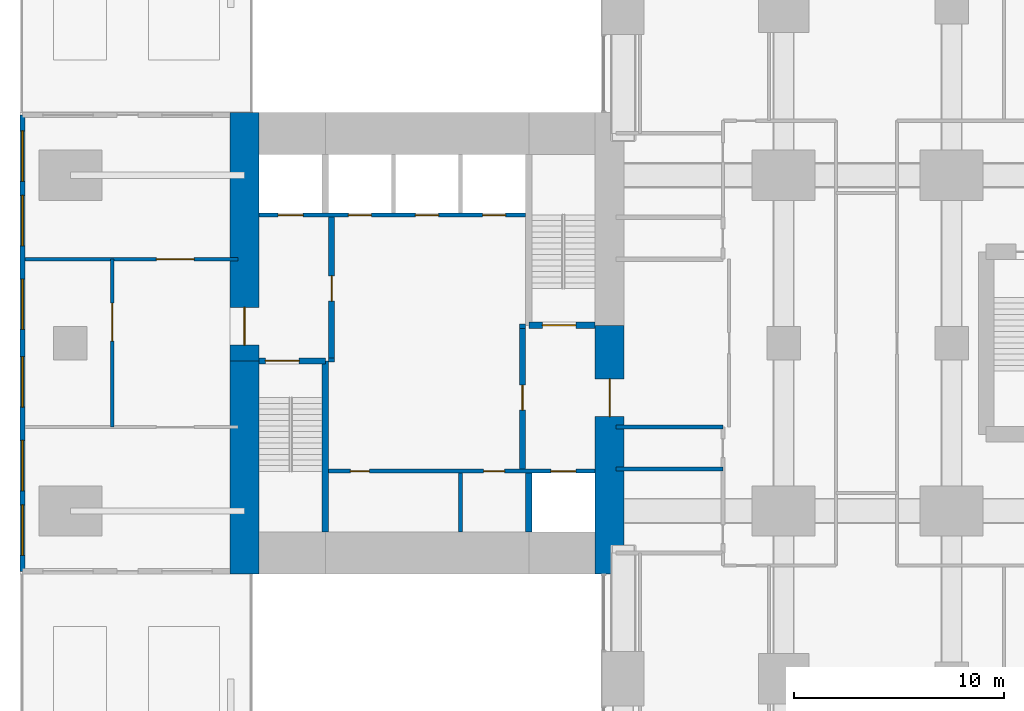
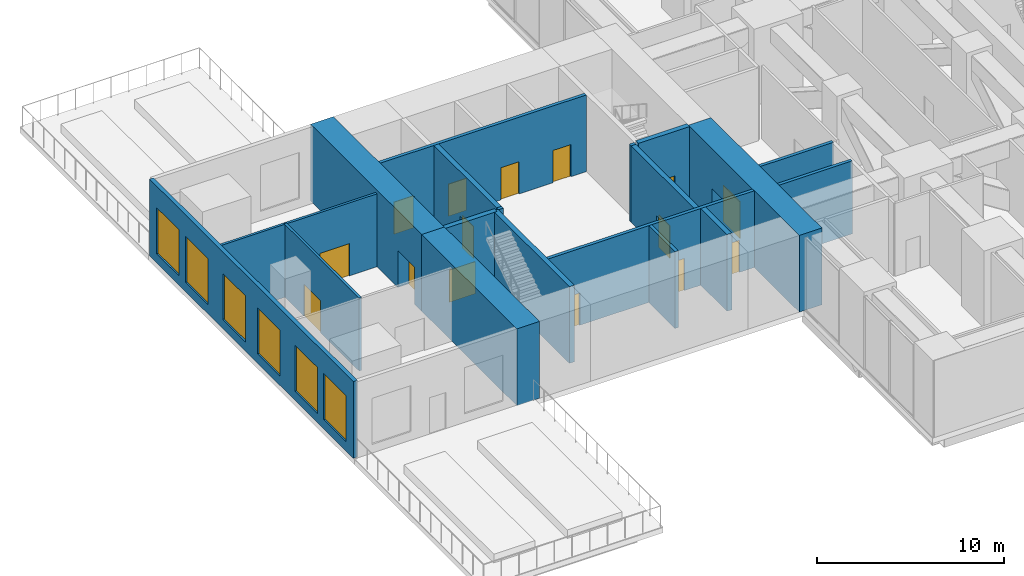
# One storey, part 7 of 10: 19 walls, 15 doors, 6 windows, 21 openings.
"""IFC4 building model written with IfcOpenShell, lengths in metres."""

from ifc_helpers import new_model, si_unit, direction, frame, frame_2d, origin, place, context, subcontext, project, spatial, rectangle, extrude, material, layer, layer_set, type_object, element, fill, save


model = new_model("IFC4")

# Units and contexts
model_context = context("Model", 3, precision=1e-05, world=origin(), true_north=direction((0.0, 1.0)))
body_context = subcontext(model_context, "Body", "Model", "MODEL_VIEW")
ifc_project = project(units=[si_unit("LENGTHUNIT", "METRE"), si_unit("AREAUNIT", "SQUARE_METRE"), si_unit("VOLUMEUNIT", "CUBIC_METRE"), si_unit("PLANEANGLEUNIT", "RADIAN"), si_unit("MASSUNIT", "GRAM", prefix="KILO")], contexts=[model_context])

# Site, building, storey
site_placement = place(None, origin())
site = spatial("IfcSite", under=ifc_project, at=site_placement, CompositionType="ELEMENT")
building_placement = place(site_placement, origin())
building = spatial("IfcBuilding", under=site, at=building_placement, Name="Cleftline Residences", CompositionType="ELEMENT")
storey_placement = place(building_placement, frame((0.0, 0.0, 225.39990234375)))
storey = spatial("IfcBuildingStorey", under=building, at=storey_placement, Name="L59", CompositionType="ELEMENT", Elevation=225.39990234375)

# Wall
ifc_material_1 = material(Name="Concrete B70", Category="concrete")
ifc_layer_1 = layer(ifc_material_1, 1.39990234375)
ifc_layer_set_1 = layer_set([ifc_layer_1], Name="CORE WALL 1400")
wall_type_1 = type_object("IfcWallType", Name="CORE WALL 1400", PredefinedType="SHEAR", material=ifc_layer_set_1)
wall_1_placement = place(storey_placement, frame((24.300048828125, 13.0, 0.0), z_axis=(0.0, 0.0, 1.0), x_axis=(0.0, 1.0, 0.0)))
element("IfcWall", 1, at=wall_1_placement, inside=storey, type_object=wall_type_1, Name="Core wall W0", PredefinedType="SHEAR", context=body_context, shape_type="SweptSolid", body=[
    extrude(rectangle(XDim=10.14990234375, YDim=1.39990234375, at=frame_2d((5.074951171875, 0.0))), origin(), (0.0, 0.0, 1.0), 5.0),
])

# Wall, opening, door
wall_2_placement = place(storey_placement, frame((24.300048828125, 23.14990234375, 0.0), z_axis=(0.0, 0.0, 1.0), x_axis=(0.0, 1.0, 0.0)))
wall_2 = element("IfcWall", 2, at=wall_2_placement, inside=storey, type_object=wall_type_1, Name="Core wall W", PredefinedType="SHEAR", context=body_context, shape_type="SweptSolid", body=[
    extrude(rectangle(XDim=11.85009765625, YDim=1.39990234375, at=frame_2d((5.925048828125, 0.0))), origin(), (0.0, 0.0, 1.0), 5.0),
])
opening_1_placement = place(wall_2_placement, frame((0.75, 0.0, 0.0)))
opening_1 = element("IfcOpeningElement", 3, at=opening_1_placement, cuts=wall_2, Name="Opening D7", PredefinedType="OPENING", context=body_context, shape_type="SweptSolid", body=[
    extrude(rectangle(XDim=1.800048828125, YDim=2.39990234375, at=frame_2d((0.89990234375, 1.199951171875))), frame((0.0, 0.7099609375, 0.0), z_axis=(0.0, -1.0, 0.0), x_axis=(1.0, 0.0, 0.0)), (0.0, 0.0, 1.0), 1.419921875),
])
ifc_material_2 = material(Name="Steel", Category="steel")
door_type_1 = type_object("IfcDoorType", Name="WING DOOR 1800X2400", OperationType="DOUBLE_DOOR_DOUBLE_SWING", PredefinedType="DOOR", material=ifc_material_2)
door_1_placement = place(opening_1_placement, origin())
door_1 = element("IfcDoor", 4, at=door_1_placement, inside=storey, type_object=door_type_1, Name="West wing door", OperationType="DOUBLE_DOOR_DOUBLE_SWING", OverallHeight=2.39990234375, OverallWidth=1.800048828125, PredefinedType="DOOR", context=body_context, shape_type="SweptSolid", body=[
    extrude(rectangle(XDim=1.800048828125, YDim=2.39990234375, at=frame_2d((0.89990234375, 1.199951171875))), frame((0.0, 0.02490234375, 0.0), z_axis=(0.0, -1.0, 0.0), x_axis=(1.0, 0.0, 0.0)), (0.0, 0.0, 1.0), 0.050048828125),
])
fill(opening_1, door_1)

wall_3_placement = place(storey_placement, frame((41.699951171875, 13.0, 0.0), z_axis=(0.0, 0.0, 1.0), x_axis=(0.0, 1.0, 0.0)))
wall_3 = element("IfcWall", 5, at=wall_3_placement, inside=storey, type_object=wall_type_1, Name="Core wall E", PredefinedType="SHEAR", context=body_context, shape_type="SweptSolid", body=[
    extrude(rectangle(XDim=11.85009765625, YDim=1.39990234375, at=frame_2d((5.925048828125, 0.0))), origin(), (0.0, 0.0, 1.0), 5.0),
])
opening_2_placement = place(wall_3_placement, frame((7.5, 0.0, 0.0)))
opening_2 = element("IfcOpeningElement", 6, at=opening_2_placement, cuts=wall_3, Name="Opening D7", PredefinedType="OPENING", context=body_context, shape_type="SweptSolid", body=[
    extrude(rectangle(XDim=1.800048828125, YDim=2.39990234375, at=frame_2d((0.89990234375, 1.199951171875))), frame((0.0, 0.7099609375, 0.0), z_axis=(0.0, -1.0, 0.0), x_axis=(1.0, 0.0, 0.0)), (0.0, 0.0, 1.0), 1.419921875),
])
door_2_placement = place(opening_2_placement, origin())
door_2 = element("IfcDoor", 7, at=door_2_placement, inside=storey, type_object=door_type_1, Name="East wing door", OperationType="DOUBLE_DOOR_DOUBLE_SWING", OverallHeight=2.39990234375, OverallWidth=1.800048828125, PredefinedType="DOOR", context=body_context, shape_type="SweptSolid", body=[
    extrude(rectangle(XDim=1.800048828125, YDim=2.39990234375, at=frame_2d((0.89990234375, 1.199951171875))), frame((0.0, 0.02490234375, 0.0), z_axis=(0.0, -1.0, 0.0), x_axis=(1.0, 0.0, 0.0)), (0.0, 0.0, 1.0), 0.050048828125),
])
fill(opening_2, door_2)

# Wall
ifc_material_3 = material(Name="Concrete B70", Category="concrete")
ifc_layer_2 = layer(ifc_material_3, 0.300048828125)
ifc_layer_set_2 = layer_set([ifc_layer_2], Name="CORE WALL 300")
wall_type_2 = type_object("IfcWallType", Name="CORE WALL 300", PredefinedType="SHEAR", material=ifc_layer_set_2)
wall_4_placement = place(storey_placement, frame((28.14990234375, 15.0, 0.0), z_axis=(0.0, 0.0, 1.0), x_axis=(0.0, 1.0, 0.0)))
element("IfcWall", 8, at=wall_4_placement, inside=storey, type_object=wall_type_2, Name="Core wall SA-E", PredefinedType="SHEAR", context=body_context, shape_type="SweptSolid", body=[
    extrude(rectangle(XDim=8.14990234375, YDim=0.300048828125, at=frame_2d((4.074951171875, 0.0))), origin(), (0.0, 0.0, 1.0), 5.0),
])

# Wall, opening, door
wall_5_placement = place(storey_placement, frame((25.0, 23.14990234375, 0.0), z_axis=(0.0, 0.0, 1.0), x_axis=(1.0, 0.0, 0.0)))
wall_5 = element("IfcWall", 9, at=wall_5_placement, inside=storey, type_object=wall_type_2, Name="Core wall SA-N", PredefinedType="SHEAR", context=body_context, shape_type="SweptSolid", body=[
    extrude(rectangle(XDim=3.14990234375, YDim=0.300048828125, at=frame_2d((1.574951171875, 0.0))), origin(), (0.0, 0.0, 1.0), 5.0),
])
opening_3_placement = place(wall_5_placement, frame((0.300048828125, 0.0, 0.0)))
opening_3 = element("IfcOpeningElement", 10, at=opening_3_placement, cuts=wall_5, Name="Opening D9", PredefinedType="OPENING", context=body_context, shape_type="SweptSolid", body=[
    extrude(rectangle(XDim=1.60009765625, YDim=2.10009765625, at=frame_2d((0.800048828125, 1.050048828125))), frame((0.0, 0.159912109375, 0.0), z_axis=(0.0, -1.0, 0.0), x_axis=(1.0, 0.0, 0.0)), (0.0, 0.0, 1.0), 0.320068359375),
])
ifc_material_4 = material(Name="Steel", Category="steel")
door_type_2 = type_object("IfcDoorType", Name="STAIR DOOR 1600X2100", OperationType="DOUBLE_DOOR_SINGLE_SWING", PredefinedType="DOOR", material=ifc_material_4)
door_3_placement = place(opening_3_placement, origin())
door_3 = element("IfcDoor", 11, at=door_3_placement, inside=storey, type_object=door_type_2, Name="Stair A door", OperationType="DOUBLE_DOOR_SINGLE_SWING", OverallHeight=2.10009765625, OverallWidth=1.60009765625, PredefinedType="DOOR", context=body_context, shape_type="SweptSolid", body=[
    extrude(rectangle(XDim=1.60009765625, YDim=2.10009765625, at=frame_2d((0.800048828125, 1.050048828125))), frame((0.0, 0.02490234375, 0.0), z_axis=(0.0, -1.0, 0.0), x_axis=(1.0, 0.0, 0.0)), (0.0, 0.0, 1.0), 0.050048828125),
])
fill(opening_3, door_3)

wall_6_placement = place(storey_placement, frame((37.85009765625, 24.85009765625, 0.0), z_axis=(0.0, 0.0, 1.0), x_axis=(1.0, 0.0, 0.0)))
wall_6 = element("IfcWall", 12, at=wall_6_placement, inside=storey, type_object=wall_type_2, Name="Core wall SB-S", PredefinedType="SHEAR", context=body_context, shape_type="SweptSolid", body=[
    extrude(rectangle(XDim=3.14990234375, YDim=0.300048828125, at=frame_2d((1.574951171875, 0.0))), origin(), (0.0, 0.0, 1.0), 5.0),
])
opening_4_placement = place(wall_6_placement, frame((0.64990234375, 0.0, 0.0)))
opening_4 = element("IfcOpeningElement", 13, at=opening_4_placement, cuts=wall_6, Name="Opening D9", PredefinedType="OPENING", context=body_context, shape_type="SweptSolid", body=[
    extrude(rectangle(XDim=1.60009765625, YDim=2.10009765625, at=frame_2d((0.800048828125, 1.050048828125))), frame((0.0, 0.159912109375, 0.0), z_axis=(0.0, -1.0, 0.0), x_axis=(1.0, 0.0, 0.0)), (0.0, 0.0, 1.0), 0.320068359375),
])
door_4_placement = place(opening_4_placement, origin())
door_4 = element("IfcDoor", 14, at=door_4_placement, inside=storey, type_object=door_type_2, Name="Stair B door", OperationType="DOUBLE_DOOR_SINGLE_SWING", OverallHeight=2.10009765625, OverallWidth=1.60009765625, PredefinedType="DOOR", context=body_context, shape_type="SweptSolid", body=[
    extrude(rectangle(XDim=1.60009765625, YDim=2.10009765625, at=frame_2d((0.800048828125, 1.050048828125))), frame((0.0, 0.02490234375, 0.0), z_axis=(0.0, -1.0, 0.0), x_axis=(1.0, 0.0, 0.0)), (0.0, 0.0, 1.0), 0.050048828125),
])
fill(opening_4, door_4)

# Wall
wall_7_placement = place(storey_placement, frame((37.85009765625, 15.0, 0.0), z_axis=(0.0, 0.0, 1.0), x_axis=(0.0, 1.0, 0.0)))
element("IfcWall", 15, at=wall_7_placement, inside=storey, type_object=wall_type_2, Name="Lift shaft wall", PredefinedType="SHEAR", context=body_context, shape_type="SweptSolid", body=[
    extrude(rectangle(XDim=2.800048828125, YDim=0.300048828125, at=frame_2d((1.39990234375, 0.0))), origin(), (0.0, 0.0, 1.0), 5.0),
])

# Wall, openings, windows
ifc_material_5 = material(Name="Rendered reinforced concrete blockwork", Category="masonry")
ifc_layer_3 = layer(ifc_material_5, 0.25)
ifc_layer_set_3 = layer_set([ifc_layer_3], Name="EXTERNAL WALL 250")
wall_type_3 = type_object("IfcWallType", Name="EXTERNAL WALL 250", PredefinedType="SOLIDWALL", material=ifc_layer_set_3)
wall_8_placement = place(storey_placement, frame((13.72509765625, 34.875, 0.0), z_axis=(0.0, 0.0, 1.0), x_axis=(0.0, -1.0, 0.0)))
wall_8 = element("IfcWall", 16, at=wall_8_placement, inside=storey, type_object=wall_type_3, Name="External wall", PredefinedType="SOLIDWALL", context=body_context, shape_type="SweptSolid", body=[
    extrude(rectangle(XDim=21.75, YDim=0.25, at=frame_2d((10.875, 0.0))), origin(), (0.0, 0.0, 1.0), 5.0),
])
opening_5_placement = place(wall_8_placement, frame((0.762451171875, 0.0, 0.60009765625)))
opening_5 = element("IfcOpeningElement", 17, at=opening_5_placement, cuts=wall_8, Name="Opening W3", PredefinedType="OPENING", context=body_context, shape_type="SweptSolid", body=[
    extrude(rectangle(XDim=2.39990234375, YDim=3.0, at=frame_2d((1.199951171875, 1.5))), frame((0.0, 0.135009765625, 0.0), z_axis=(0.0, -1.0, 0.0), x_axis=(1.0, 0.0, 0.0)), (0.0, 0.0, 1.0), 0.27001953125),
])
opening_6_placement = place(wall_8_placement, frame((3.83740234375, 0.0, 0.60009765625)))
opening_6 = element("IfcOpeningElement", 18, at=opening_6_placement, cuts=wall_8, Name="Opening W3", PredefinedType="OPENING", context=body_context, shape_type="SweptSolid", body=[
    extrude(rectangle(XDim=2.39990234375, YDim=3.0, at=frame_2d((1.199951171875, 1.5))), frame((0.0, 0.135009765625, 0.0), z_axis=(0.0, -1.0, 0.0), x_axis=(1.0, 0.0, 0.0)), (0.0, 0.0, 1.0), 0.27001953125),
])
opening_7_placement = place(wall_8_placement, frame((7.824951171875, 0.0, 0.60009765625)))
opening_7 = element("IfcOpeningElement", 19, at=opening_7_placement, cuts=wall_8, Name="Opening W3", PredefinedType="OPENING", context=body_context, shape_type="SweptSolid", body=[
    extrude(rectangle(XDim=2.39990234375, YDim=3.0, at=frame_2d((1.199951171875, 1.5))), frame((0.0, 0.135009765625, 0.0), z_axis=(0.0, -1.0, 0.0), x_axis=(1.0, 0.0, 0.0)), (0.0, 0.0, 1.0), 0.27001953125),
])
opening_8_placement = place(wall_8_placement, frame((11.52490234375, 0.0, 0.60009765625)))
opening_8 = element("IfcOpeningElement", 20, at=opening_8_placement, cuts=wall_8, Name="Opening W3", PredefinedType="OPENING", context=body_context, shape_type="SweptSolid", body=[
    extrude(rectangle(XDim=2.39990234375, YDim=3.0, at=frame_2d((1.199951171875, 1.5))), frame((0.0, 0.135009765625, 0.0), z_axis=(0.0, -1.0, 0.0), x_axis=(1.0, 0.0, 0.0)), (0.0, 0.0, 1.0), 0.27001953125),
])
opening_9_placement = place(wall_8_placement, frame((15.512451171875, 0.0, 0.60009765625)))
opening_9 = element("IfcOpeningElement", 21, at=opening_9_placement, cuts=wall_8, Name="Opening W3", PredefinedType="OPENING", context=body_context, shape_type="SweptSolid", body=[
    extrude(rectangle(XDim=2.39990234375, YDim=3.0, at=frame_2d((1.199951171875, 1.5))), frame((0.0, 0.135009765625, 0.0), z_axis=(0.0, -1.0, 0.0), x_axis=(1.0, 0.0, 0.0)), (0.0, 0.0, 1.0), 0.27001953125),
])
opening_10_placement = place(wall_8_placement, frame((18.58740234375, 0.0, 0.60009765625)))
opening_10 = element("IfcOpeningElement", 22, at=opening_10_placement, cuts=wall_8, Name="Opening W3", PredefinedType="OPENING", context=body_context, shape_type="SweptSolid", body=[
    extrude(rectangle(XDim=2.39990234375, YDim=3.0, at=frame_2d((1.199951171875, 1.5))), frame((0.0, 0.135009765625, 0.0), z_axis=(0.0, -1.0, 0.0), x_axis=(1.0, 0.0, 0.0)), (0.0, 0.0, 1.0), 0.27001953125),
])
ifc_material_6 = material(Name="Aluminium frame, clear double glazing", Category="aluminium")
window_type = type_object("IfcWindowType", Name="WINDOW 2400X3000", PartitioningType="DOUBLE_PANEL_VERTICAL", PredefinedType="WINDOW", material=ifc_material_6)
window_1_placement = place(opening_5_placement, origin())
window_1 = element("IfcWindow", 23, at=window_1_placement, inside=storey, type_object=window_type, Name="Window", OverallHeight=3.0, OverallWidth=2.39990234375, PartitioningType="SINGLE_PANEL", PredefinedType="WINDOW", context=body_context, shape_type="SweptSolid", body=[
    extrude(rectangle(XDim=2.39990234375, YDim=3.0, at=frame_2d((1.199951171875, 1.5))), frame((0.0, 0.030029296875, 0.0), z_axis=(0.0, -1.0, 0.0), x_axis=(1.0, 0.0, 0.0)), (0.0, 0.0, 1.0), 0.06005859375),
])
fill(opening_5, window_1)
window_2_placement = place(opening_6_placement, origin())
window_2 = element("IfcWindow", 24, at=window_2_placement, inside=storey, type_object=window_type, Name="Window", OverallHeight=3.0, OverallWidth=2.39990234375, PartitioningType="SINGLE_PANEL", PredefinedType="WINDOW", context=body_context, shape_type="SweptSolid", body=[
    extrude(rectangle(XDim=2.39990234375, YDim=3.0, at=frame_2d((1.199951171875, 1.5))), frame((0.0, 0.030029296875, 0.0), z_axis=(0.0, -1.0, 0.0), x_axis=(1.0, 0.0, 0.0)), (0.0, 0.0, 1.0), 0.06005859375),
])
fill(opening_6, window_2)
window_3_placement = place(opening_7_placement, origin())
window_3 = element("IfcWindow", 25, at=window_3_placement, inside=storey, type_object=window_type, Name="Window", OverallHeight=3.0, OverallWidth=2.39990234375, PartitioningType="SINGLE_PANEL", PredefinedType="WINDOW", context=body_context, shape_type="SweptSolid", body=[
    extrude(rectangle(XDim=2.39990234375, YDim=3.0, at=frame_2d((1.199951171875, 1.5))), frame((0.0, 0.030029296875, 0.0), z_axis=(0.0, -1.0, 0.0), x_axis=(1.0, 0.0, 0.0)), (0.0, 0.0, 1.0), 0.06005859375),
])
fill(opening_7, window_3)
window_4_placement = place(opening_8_placement, origin())
window_4 = element("IfcWindow", 26, at=window_4_placement, inside=storey, type_object=window_type, Name="Window", OverallHeight=3.0, OverallWidth=2.39990234375, PartitioningType="SINGLE_PANEL", PredefinedType="WINDOW", context=body_context, shape_type="SweptSolid", body=[
    extrude(rectangle(XDim=2.39990234375, YDim=3.0, at=frame_2d((1.199951171875, 1.5))), frame((0.0, 0.030029296875, 0.0), z_axis=(0.0, -1.0, 0.0), x_axis=(1.0, 0.0, 0.0)), (0.0, 0.0, 1.0), 0.06005859375),
])
fill(opening_8, window_4)
window_5_placement = place(opening_9_placement, origin())
window_5 = element("IfcWindow", 27, at=window_5_placement, inside=storey, type_object=window_type, Name="Window", OverallHeight=3.0, OverallWidth=2.39990234375, PartitioningType="SINGLE_PANEL", PredefinedType="WINDOW", context=body_context, shape_type="SweptSolid", body=[
    extrude(rectangle(XDim=2.39990234375, YDim=3.0, at=frame_2d((1.199951171875, 1.5))), frame((0.0, 0.030029296875, 0.0), z_axis=(0.0, -1.0, 0.0), x_axis=(1.0, 0.0, 0.0)), (0.0, 0.0, 1.0), 0.06005859375),
])
fill(opening_9, window_5)
window_6_placement = place(opening_10_placement, origin())
window_6 = element("IfcWindow", 28, at=window_6_placement, inside=storey, type_object=window_type, Name="Window", OverallHeight=3.0, OverallWidth=2.39990234375, PartitioningType="SINGLE_PANEL", PredefinedType="WINDOW", context=body_context, shape_type="SweptSolid", body=[
    extrude(rectangle(XDim=2.39990234375, YDim=3.0, at=frame_2d((1.199951171875, 1.5))), frame((0.0, 0.030029296875, 0.0), z_axis=(0.0, -1.0, 0.0), x_axis=(1.0, 0.0, 0.0)), (0.0, 0.0, 1.0), 0.06005859375),
])
fill(opening_10, window_6)

# Walls
ifc_material_7 = material(Name="Concrete blockwork, fire rated", Category="masonry")
ifc_layer_4 = layer(ifc_material_7, 0.199951171875)
ifc_layer_set_4 = layer_set([ifc_layer_4], Name="FIRE WALL 200")
wall_type_4 = type_object("IfcWallType", Name="FIRE WALL 200", PredefinedType="PARTITIONING", material=ifc_layer_set_4)
for number, where, z_axis, x_axis, name in (
    (29, (42.0, 18.0, 0.0), (0.0, 0.0, 1.0), (1.0, 0.0, 0.0), "Fire separating wall"),
    (30, (42.0, 20.0, 0.0), (0.0, 0.0, 1.0), (1.0, 0.0, 0.0), "Fire separating wall"),
):
    element("IfcWall", number, at=place(storey_placement, frame(where, z_axis=z_axis, x_axis=x_axis)), inside=storey, type_object=wall_type_4, Name=name, PredefinedType="PARTITIONING", context=body_context, shape_type="SweptSolid", body=[
        extrude(rectangle(XDim=5.10009765625, YDim=0.199951171875, at=frame_2d((2.550048828125, 0.0))), origin(), (0.0, 0.0, 1.0), 4.75),
    ])
for number, where, z_axis, x_axis, name in (
    (31, (28.300048828125, 23.199951171875, 0.0), (0.0, 0.0, 1.0), (1.0, 0.0, 0.0), "Fire separating wall"),
    (32, (37.39990234375, 24.800048828125, 0.0), (0.0, 0.0, 1.0), (1.0, 0.0, 0.0), "Fire separating wall"),
):
    element("IfcWall", number, at=place(storey_placement, frame(where, z_axis=z_axis, x_axis=x_axis)), inside=storey, type_object=wall_type_4, Name=name, PredefinedType="PARTITIONING", context=body_context, shape_type="SweptSolid", body=[
        extrude(rectangle(XDim=0.300048828125, YDim=0.199951171875, at=frame_2d((0.14990234375, 0.0))), origin(), (0.0, 0.0, 1.0), 5.0),
    ])

# Wall, opening, door
ifc_material_8 = material(Name="Gypsum board on steel studs", Category="steel")
ifc_layer_5 = layer(ifc_material_8, 0.14990234375)
ifc_layer_set_5 = layer_set([ifc_layer_5], Name="PARTITION 150")
wall_type_5 = type_object("IfcWallType", Name="PARTITION 150", PredefinedType="PARTITIONING", material=ifc_layer_set_5)
wall_9_placement = place(storey_placement, frame((13.85009765625, 28.0, 0.0), z_axis=(0.0, 0.0, 1.0), x_axis=(1.0, 0.0, 0.0)))
wall_9 = element("IfcWall", 33, at=wall_9_placement, inside=storey, type_object=wall_type_5, Name="Partition", PredefinedType="PARTITIONING", context=body_context, shape_type="SweptSolid", body=[
    extrude(rectangle(XDim=10.14990234375, YDim=0.14990234375, at=frame_2d((5.074951171875, 0.0))), origin(), (0.0, 0.0, 1.0), 4.75),
])
opening_11_placement = place(wall_9_placement, frame((6.25, 0.0, 0.0)))
opening_11 = element("IfcOpeningElement", 34, at=opening_11_placement, cuts=wall_9, Name="Opening D3", PredefinedType="OPENING", context=body_context, shape_type="SweptSolid", body=[
    extrude(rectangle(XDim=1.800048828125, YDim=2.10009765625, at=frame_2d((0.89990234375, 1.050048828125))), frame((0.0, 0.0849609375, 0.0), z_axis=(0.0, -1.0, 0.0), x_axis=(1.0, 0.0, 0.0)), (0.0, 0.0, 1.0), 0.169921875),
])
ifc_material_9 = material(Name="Timber veneer on solid core", Category="wood")
door_type_3 = type_object("IfcDoorType", Name="DOUBLE DOOR 1800X2100", OperationType="DOUBLE_DOOR_DOUBLE_SWING", PredefinedType="DOOR", material=ifc_material_9)
door_5_placement = place(opening_11_placement, origin())
door_5 = element("IfcDoor", 35, at=door_5_placement, inside=storey, type_object=door_type_3, Name="Door to pavilion reading lounge", OperationType="DOUBLE_DOOR_DOUBLE_SWING", OverallHeight=2.10009765625, OverallWidth=1.800048828125, PredefinedType="DOOR", context=body_context, shape_type="SweptSolid", body=[
    extrude(rectangle(XDim=1.800048828125, YDim=2.10009765625, at=frame_2d((0.89990234375, 1.050048828125))), frame((0.0, 0.02490234375, 0.0), z_axis=(0.0, -1.0, 0.0), x_axis=(1.0, 0.0, 0.0)), (0.0, 0.0, 1.0), 0.050048828125),
])
fill(opening_11, door_5)

wall_10_placement = place(storey_placement, frame((18.0, 20.0, 0.0), z_axis=(0.0, 0.0, 1.0), x_axis=(0.0, 1.0, 0.0)))
wall_10 = element("IfcWall", 36, at=wall_10_placement, inside=storey, type_object=wall_type_5, Name="Partition", PredefinedType="PARTITIONING", context=body_context, shape_type="SweptSolid", body=[
    extrude(rectangle(XDim=8.0, YDim=0.14990234375, at=frame_2d((4.0, 0.0))), origin(), (0.0, 0.0, 1.0), 4.75),
])
opening_12_placement = place(wall_10_placement, frame((4.10009765625, 0.0, 0.0)))
opening_12 = element("IfcOpeningElement", 37, at=opening_12_placement, cuts=wall_10, Name="Opening D3", PredefinedType="OPENING", context=body_context, shape_type="SweptSolid", body=[
    extrude(rectangle(XDim=1.800048828125, YDim=2.10009765625, at=frame_2d((0.89990234375, 1.050048828125))), frame((0.0, 0.0849609375, 0.0), z_axis=(0.0, -1.0, 0.0), x_axis=(1.0, 0.0, 0.0)), (0.0, 0.0, 1.0), 0.169921875),
])
door_6_placement = place(opening_12_placement, origin())
door_6 = element("IfcDoor", 38, at=door_6_placement, inside=storey, type_object=door_type_3, Name="Door to garden view lounge", OperationType="DOUBLE_DOOR_DOUBLE_SWING", OverallHeight=2.10009765625, OverallWidth=1.800048828125, PredefinedType="DOOR", context=body_context, shape_type="SweptSolid", body=[
    extrude(rectangle(XDim=1.800048828125, YDim=2.10009765625, at=frame_2d((0.89990234375, 1.050048828125))), frame((0.0, 0.02490234375, 0.0), z_axis=(0.0, -1.0, 0.0), x_axis=(1.0, 0.0, 0.0)), (0.0, 0.0, 1.0), 0.050048828125),
])
fill(opening_12, door_6)

# Wall, openings, doors
ifc_material_10 = material(Name="Concrete blockwork, fire rated", Category="masonry")
ifc_layer_6 = layer(ifc_material_10, 0.199951171875)
ifc_layer_set_6 = layer_set([ifc_layer_6], Name="SHAFT WALL 200")
wall_type_6 = type_object("IfcWallType", Name="SHAFT WALL 200", PredefinedType="PARTITIONING", material=ifc_layer_set_6)
wall_11_placement = place(storey_placement, frame((28.300048828125, 17.89990234375, 0.0), z_axis=(0.0, 0.0, 1.0), x_axis=(1.0, 0.0, 0.0)))
wall_11 = element("IfcWall", 39, at=wall_11_placement, inside=storey, type_object=wall_type_6, Name="Core room wall", PredefinedType="PARTITIONING", context=body_context, shape_type="SweptSolid", body=[
    extrude(rectangle(XDim=12.699951171875, YDim=0.199951171875, at=frame_2d((6.35009765625, 0.0))), origin(), (0.0, 0.0, 1.0), 5.0),
])
opening_13_placement = place(wall_11_placement, frame((1.050048828125, 0.0, 0.0)))
opening_13 = element("IfcOpeningElement", 40, at=opening_13_placement, cuts=wall_11, Name="Opening D1F30", PredefinedType="OPENING", context=body_context, shape_type="SweptSolid", body=[
    extrude(rectangle(XDim=0.89990234375, YDim=2.10009765625, at=frame_2d((0.449951171875, 1.050048828125))), frame((0.0, 0.10986328125, 0.0), z_axis=(0.0, -1.0, 0.0), x_axis=(1.0, 0.0, 0.0)), (0.0, 0.0, 1.0), 0.219970703125),
])
opening_14_placement = place(wall_11_placement, frame((7.39990234375, 0.0, 0.0)))
opening_14 = element("IfcOpeningElement", 41, at=opening_14_placement, cuts=wall_11, Name="Opening D2F60", PredefinedType="OPENING", context=body_context, shape_type="SweptSolid", body=[
    extrude(rectangle(XDim=1.0, YDim=2.10009765625, at=frame_2d((0.5, 1.050048828125))), frame((0.0, 0.10986328125, 0.0), z_axis=(0.0, -1.0, 0.0), x_axis=(1.0, 0.0, 0.0)), (0.0, 0.0, 1.0), 0.219970703125),
])
opening_15_placement = place(wall_11_placement, frame((10.60009765625, 0.0, 0.0)))
opening_15 = element("IfcOpeningElement", 42, at=opening_15_placement, cuts=wall_11, Name="Opening LD2", PredefinedType="OPENING", context=body_context, shape_type="SweptSolid", body=[
    extrude(rectangle(XDim=1.199951171875, YDim=2.10009765625, at=frame_2d((0.60009765625, 1.050048828125))), frame((0.0, 0.10986328125, 0.0), z_axis=(0.0, -1.0, 0.0), x_axis=(1.0, 0.0, 0.0)), (0.0, 0.0, 1.0), 0.219970703125),
])
ifc_material_11 = material(Name="Timber veneer on solid core", Category="wood")
door_type_4 = type_object("IfcDoorType", Name="DOOR 1000X2100 EI 60", OperationType="SINGLE_SWING_LEFT", PredefinedType="DOOR", material=ifc_material_11)
door_7_placement = place(opening_14_placement, origin())
door_7 = element("IfcDoor", 43, at=door_7_placement, inside=storey, type_object=door_type_4, Name="Door to audio-visual equipment room", OperationType="SINGLE_SWING_LEFT", OverallHeight=2.10009765625, OverallWidth=1.0, PredefinedType="DOOR", context=body_context, shape_type="SweptSolid", body=[
    extrude(rectangle(XDim=1.0, YDim=2.10009765625, at=frame_2d((0.5, 1.050048828125))), frame((0.0, 0.02490234375, 0.0), z_axis=(0.0, -1.0, 0.0), x_axis=(1.0, 0.0, 0.0)), (0.0, 0.0, 1.0), 0.050048828125),
])
fill(opening_14, door_7)
ifc_material_12 = material(Name="Timber veneer on solid core", Category="wood")
door_type_5 = type_object("IfcDoorType", Name="DOOR 900X2100 EI 30", OperationType="SINGLE_SWING_LEFT", PredefinedType="DOOR", material=ifc_material_12)
door_8_placement = place(opening_13_placement, origin())
door_8 = element("IfcDoor", 44, at=door_8_placement, inside=storey, type_object=door_type_5, Name="Door to furniture store", OperationType="SINGLE_SWING_RIGHT", OverallHeight=2.10009765625, OverallWidth=0.89990234375, PredefinedType="DOOR", context=body_context, shape_type="SweptSolid", body=[
    extrude(rectangle(XDim=0.89990234375, YDim=2.10009765625, at=frame_2d((0.449951171875, 1.050048828125))), frame((0.0, 0.02490234375, 0.0), z_axis=(0.0, -1.0, 0.0), x_axis=(1.0, 0.0, 0.0)), (0.0, 0.0, 1.0), 0.050048828125),
])
fill(opening_13, door_8)
ifc_material_13 = material(Name="Steel", Category="steel")
door_type_6 = type_object("IfcDoorType", Name="FIREFIGHTING LIFT LANDING DOOR 1200X2100", OperationType="SLIDING_TO_LEFT", PredefinedType="DOOR", material=ifc_material_13)
door_9_placement = place(opening_15_placement, origin())
door_9 = element("IfcDoor", 45, at=door_9_placement, inside=storey, type_object=door_type_6, Name="Lift FL2 landing door", OperationType="SLIDING_TO_LEFT", OverallHeight=2.10009765625, OverallWidth=1.199951171875, PredefinedType="DOOR", context=body_context, shape_type="SweptSolid", body=[
    extrude(rectangle(XDim=1.199951171875, YDim=2.10009765625, at=frame_2d((0.60009765625, 1.050048828125))), frame((0.0, 0.02490234375, 0.0), z_axis=(0.0, -1.0, 0.0), x_axis=(1.0, 0.0, 0.0)), (0.0, 0.0, 1.0), 0.050048828125),
])
fill(opening_15, door_9)

wall_12_placement = place(storey_placement, frame((25.0, 30.10009765625, 0.0), z_axis=(0.0, 0.0, 1.0), x_axis=(1.0, 0.0, 0.0)))
wall_12 = element("IfcWall", 46, at=wall_12_placement, inside=storey, type_object=wall_type_6, Name="Lift shaft wall", PredefinedType="PARTITIONING", context=body_context, shape_type="SweptSolid", body=[
    extrude(rectangle(XDim=12.699951171875, YDim=0.199951171875, at=frame_2d((6.35009765625, 0.0))), origin(), (0.0, 0.0, 1.0), 5.0),
])
opening_16_placement = place(wall_12_placement, frame((4.25, 0.0, 0.0)))
opening_16 = element("IfcOpeningElement", 47, at=opening_16_placement, cuts=wall_12, Name="Opening LD1", PredefinedType="OPENING", context=body_context, shape_type="SweptSolid", body=[
    extrude(rectangle(XDim=1.10009765625, YDim=2.10009765625, at=frame_2d((0.550048828125, 1.050048828125))), frame((0.0, 0.10986328125, 0.0), z_axis=(0.0, -1.0, 0.0), x_axis=(1.0, 0.0, 0.0)), (0.0, 0.0, 1.0), 0.219970703125),
])
opening_17_placement = place(wall_12_placement, frame((7.449951171875, 0.0, 0.0)))
opening_17 = element("IfcOpeningElement", 48, at=opening_17_placement, cuts=wall_12, Name="Opening LD1", PredefinedType="OPENING", context=body_context, shape_type="SweptSolid", body=[
    extrude(rectangle(XDim=1.10009765625, YDim=2.10009765625, at=frame_2d((0.550048828125, 1.050048828125))), frame((0.0, 0.10986328125, 0.0), z_axis=(0.0, -1.0, 0.0), x_axis=(1.0, 0.0, 0.0)), (0.0, 0.0, 1.0), 0.219970703125),
])
opening_18_placement = place(wall_12_placement, frame((10.64990234375, 0.0, 0.0)))
opening_18 = element("IfcOpeningElement", 49, at=opening_18_placement, cuts=wall_12, Name="Opening LD1", PredefinedType="OPENING", context=body_context, shape_type="SweptSolid", body=[
    extrude(rectangle(XDim=1.10009765625, YDim=2.10009765625, at=frame_2d((0.550048828125, 1.050048828125))), frame((0.0, 0.10986328125, 0.0), z_axis=(0.0, -1.0, 0.0), x_axis=(1.0, 0.0, 0.0)), (0.0, 0.0, 1.0), 0.219970703125),
])
opening_19_placement = place(wall_12_placement, frame((0.89990234375, 0.0, 0.0)))
opening_19 = element("IfcOpeningElement", 50, at=opening_19_placement, cuts=wall_12, Name="Opening LD2", PredefinedType="OPENING", context=body_context, shape_type="SweptSolid", body=[
    extrude(rectangle(XDim=1.199951171875, YDim=2.10009765625, at=frame_2d((0.60009765625, 1.050048828125))), frame((0.0, 0.10986328125, 0.0), z_axis=(0.0, -1.0, 0.0), x_axis=(1.0, 0.0, 0.0)), (0.0, 0.0, 1.0), 0.219970703125),
])
door_10_placement = place(opening_19_placement, origin())
door_10 = element("IfcDoor", 51, at=door_10_placement, inside=storey, type_object=door_type_6, Name="Lift FL1 landing door", OperationType="SLIDING_TO_LEFT", OverallHeight=2.10009765625, OverallWidth=1.199951171875, PredefinedType="DOOR", context=body_context, shape_type="SweptSolid", body=[
    extrude(rectangle(XDim=1.199951171875, YDim=2.10009765625, at=frame_2d((0.60009765625, 1.050048828125))), frame((0.0, 0.02490234375, 0.0), z_axis=(0.0, -1.0, 0.0), x_axis=(1.0, 0.0, 0.0)), (0.0, 0.0, 1.0), 0.050048828125),
])
fill(opening_19, door_10)
ifc_material_14 = material(Name="Steel", Category="steel")
door_type_7 = type_object("IfcDoorType", Name="LIFT LANDING DOOR 1100X2100", OperationType="SLIDING_TO_LEFT", PredefinedType="DOOR", material=ifc_material_14)
door_11_placement = place(opening_16_placement, origin())
door_11 = element("IfcDoor", 52, at=door_11_placement, inside=storey, type_object=door_type_7, Name="Lift P4 landing door", OperationType="SLIDING_TO_LEFT", OverallHeight=2.10009765625, OverallWidth=1.10009765625, PredefinedType="DOOR", context=body_context, shape_type="SweptSolid", body=[
    extrude(rectangle(XDim=1.10009765625, YDim=2.10009765625, at=frame_2d((0.550048828125, 1.050048828125))), frame((0.0, 0.02490234375, 0.0), z_axis=(0.0, -1.0, 0.0), x_axis=(1.0, 0.0, 0.0)), (0.0, 0.0, 1.0), 0.050048828125),
])
fill(opening_16, door_11)
door_12_placement = place(opening_17_placement, origin())
door_12 = element("IfcDoor", 53, at=door_12_placement, inside=storey, type_object=door_type_7, Name="Lift P5 landing door", OperationType="SLIDING_TO_LEFT", OverallHeight=2.10009765625, OverallWidth=1.10009765625, PredefinedType="DOOR", context=body_context, shape_type="SweptSolid", body=[
    extrude(rectangle(XDim=1.10009765625, YDim=2.10009765625, at=frame_2d((0.550048828125, 1.050048828125))), frame((0.0, 0.02490234375, 0.0), z_axis=(0.0, -1.0, 0.0), x_axis=(1.0, 0.0, 0.0)), (0.0, 0.0, 1.0), 0.050048828125),
])
fill(opening_17, door_12)
door_13_placement = place(opening_18_placement, origin())
door_13 = element("IfcDoor", 54, at=door_13_placement, inside=storey, type_object=door_type_7, Name="Lift P6 landing door", OperationType="SLIDING_TO_LEFT", OverallHeight=2.10009765625, OverallWidth=1.10009765625, PredefinedType="DOOR", context=body_context, shape_type="SweptSolid", body=[
    extrude(rectangle(XDim=1.10009765625, YDim=2.10009765625, at=frame_2d((0.550048828125, 1.050048828125))), frame((0.0, 0.02490234375, 0.0), z_axis=(0.0, -1.0, 0.0), x_axis=(1.0, 0.0, 0.0)), (0.0, 0.0, 1.0), 0.050048828125),
])
fill(opening_18, door_13)

# Wall
wall_13_placement = place(storey_placement, frame((34.60009765625, 15.0, 0.0), z_axis=(0.0, 0.0, 1.0), x_axis=(0.0, 1.0, 0.0)))
element("IfcWall", 55, at=wall_13_placement, inside=storey, type_object=wall_type_6, Name="Core room wall", PredefinedType="PARTITIONING", context=body_context, shape_type="SweptSolid", body=[
    extrude(rectangle(XDim=2.800048828125, YDim=0.199951171875, at=frame_2d((1.39990234375, 0.0))), origin(), (0.0, 0.0, 1.0), 5.0),
])

# Wall, opening, door
ifc_material_15 = material(Name="Concrete blockwork, fire rated", Category="masonry")
ifc_layer_7 = layer(ifc_material_15, 0.300048828125)
ifc_layer_set_7 = layer_set([ifc_layer_7], Name="STAIR LOBBY WALL 300")
wall_type_7 = type_object("IfcWallType", Name="STAIR LOBBY WALL 300", PredefinedType="PARTITIONING", material=ifc_layer_set_7)
wall_14_placement = place(storey_placement, frame((28.449951171875, 23.300048828125, 0.0), z_axis=(0.0, 0.0, 1.0), x_axis=(0.0, 1.0, 0.0)))
wall_14 = element("IfcWall", 56, at=wall_14_placement, inside=storey, type_object=wall_type_7, Name="Stair and lobby wall FA-E", PredefinedType="PARTITIONING", context=body_context, shape_type="SweptSolid", body=[
    extrude(rectangle(XDim=6.699951171875, YDim=0.300048828125, at=frame_2d((3.35009765625, 0.0))), origin(), (0.0, 0.0, 1.0), 5.0),
])
opening_20_placement = place(wall_14_placement, frame((2.699951171875, 0.0, 0.0)))
opening_20 = element("IfcOpeningElement", 57, at=opening_20_placement, cuts=wall_14, Name="Opening D6", PredefinedType="OPENING", context=body_context, shape_type="SweptSolid", body=[
    extrude(rectangle(XDim=1.199951171875, YDim=2.10009765625, at=frame_2d((0.60009765625, 1.050048828125))), frame((0.0, 0.159912109375, 0.0), z_axis=(0.0, -1.0, 0.0), x_axis=(1.0, 0.0, 0.0)), (0.0, 0.0, 1.0), 0.320068359375),
])
ifc_material_16 = material(Name="Steel", Category="steel")
door_type_8 = type_object("IfcDoorType", Name="LOBBY DOOR 1200X2100", OperationType="SINGLE_SWING_RIGHT", PredefinedType="DOOR", material=ifc_material_16)
door_14_placement = place(opening_20_placement, origin())
door_14 = element("IfcDoor", 58, at=door_14_placement, inside=storey, type_object=door_type_8, Name="Firefighting lobby A door", OperationType="SINGLE_SWING_RIGHT", OverallHeight=2.10009765625, OverallWidth=1.199951171875, PredefinedType="DOOR", context=body_context, shape_type="SweptSolid", body=[
    extrude(rectangle(XDim=1.199951171875, YDim=2.10009765625, at=frame_2d((0.60009765625, 1.050048828125))), frame((0.0, 0.02490234375, 0.0), z_axis=(0.0, -1.0, 0.0), x_axis=(1.0, 0.0, 0.0)), (0.0, 0.0, 1.0), 0.050048828125),
])
fill(opening_20, door_14)

wall_15_placement = place(storey_placement, frame((37.550048828125, 18.0, 0.0), z_axis=(0.0, 0.0, 1.0), x_axis=(0.0, 1.0, 0.0)))
wall_15 = element("IfcWall", 59, at=wall_15_placement, inside=storey, type_object=wall_type_7, Name="Stair and lobby wall FB-W", PredefinedType="PARTITIONING", context=body_context, shape_type="SweptSolid", body=[
    extrude(rectangle(XDim=6.699951171875, YDim=0.300048828125, at=frame_2d((3.35009765625, 0.0))), origin(), (0.0, 0.0, 1.0), 5.0),
])
opening_21_placement = place(wall_15_placement, frame((2.800048828125, 0.0, 0.0)))
opening_21 = element("IfcOpeningElement", 60, at=opening_21_placement, cuts=wall_15, Name="Opening D6", PredefinedType="OPENING", context=body_context, shape_type="SweptSolid", body=[
    extrude(rectangle(XDim=1.199951171875, YDim=2.10009765625, at=frame_2d((0.60009765625, 1.050048828125))), frame((0.0, 0.159912109375, 0.0), z_axis=(0.0, -1.0, 0.0), x_axis=(1.0, 0.0, 0.0)), (0.0, 0.0, 1.0), 0.320068359375),
])
door_15_placement = place(opening_21_placement, origin())
door_15 = element("IfcDoor", 61, at=door_15_placement, inside=storey, type_object=door_type_8, Name="Firefighting lobby B door", OperationType="SINGLE_SWING_LEFT", OverallHeight=2.10009765625, OverallWidth=1.199951171875, PredefinedType="DOOR", context=body_context, shape_type="SweptSolid", body=[
    extrude(rectangle(XDim=1.199951171875, YDim=2.10009765625, at=frame_2d((0.60009765625, 1.050048828125))), frame((0.0, 0.02490234375, 0.0), z_axis=(0.0, -1.0, 0.0), x_axis=(1.0, 0.0, 0.0)), (0.0, 0.0, 1.0), 0.050048828125),
])
fill(opening_21, door_15)

save(model, "model.ifc")
